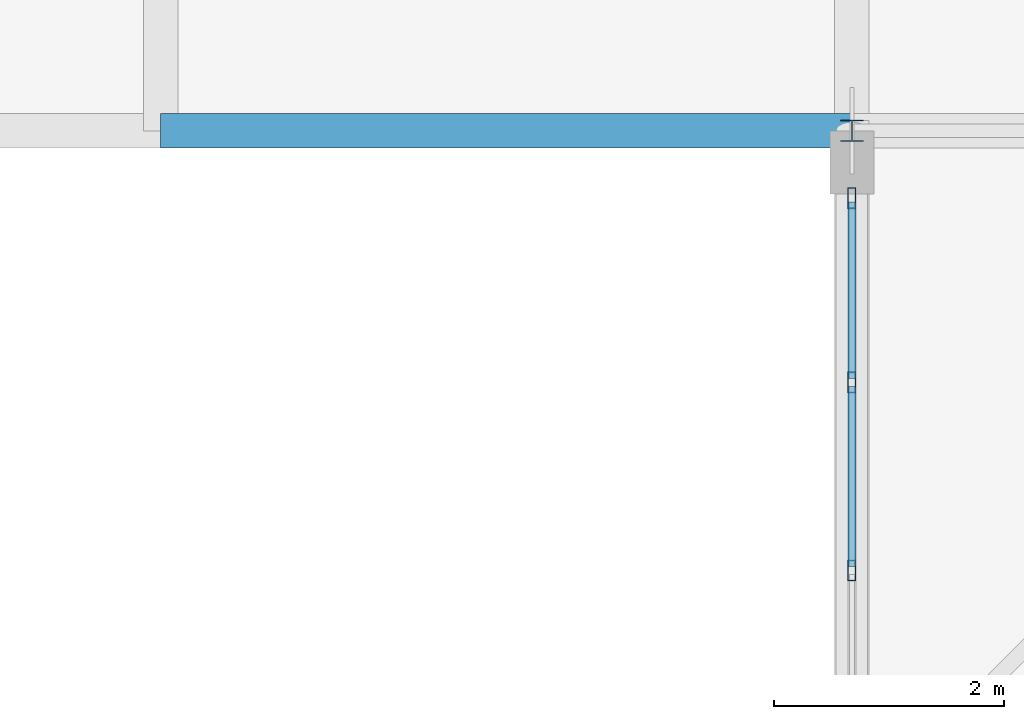
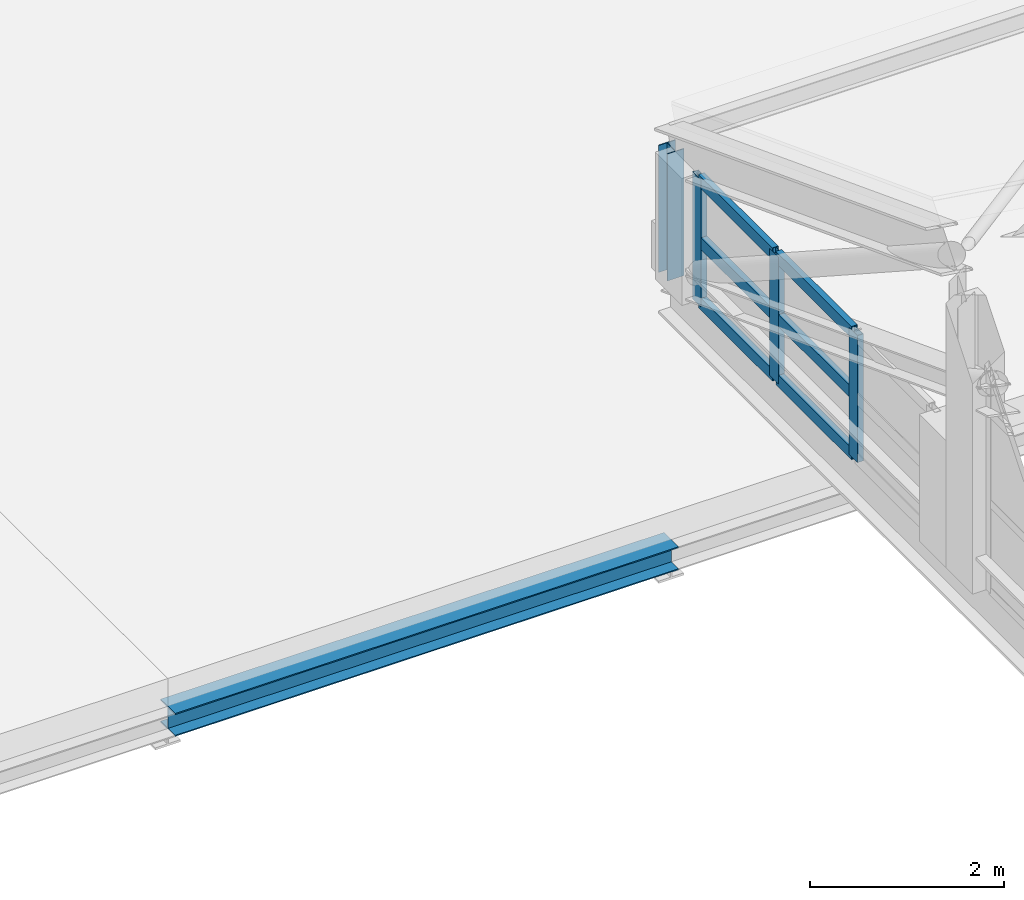
# One storey, part 143 of 204: 10 members, 1 beam, 1 element without a shape of its own.
"""IFC4 building model written with IfcOpenShell, lengths in metres."""

from ifc_helpers import new_model, si_unit, direction, frame, origin, origin_2d, place, context, subcontext, project, spatial, hollow_rectangle, i_section, extrude, material, layer, layer_set, material_profile, profile_set, type_object, element, aggregate, save


model = new_model("IFC4")

# Units and contexts
model_context = context("Model", 3, precision=1e-05, world=origin(), true_north=direction((0.0, 1.0)))
body_context = subcontext(model_context, "Body", "Model", "MODEL_VIEW")
ifc_project = project(units=[si_unit("LENGTHUNIT", "METRE"), si_unit("AREAUNIT", "SQUARE_METRE"), si_unit("VOLUMEUNIT", "CUBIC_METRE"), si_unit("PLANEANGLEUNIT", "RADIAN"), si_unit("MASSUNIT", "GRAM", prefix="KILO")], contexts=[model_context])

# Site, building, storey
site_placement = place(None, origin())
site = spatial("IfcSite", under=ifc_project, at=site_placement, CompositionType="ELEMENT")
building_placement = place(site_placement, origin())
building = spatial("IfcBuilding", under=site, at=building_placement, Name="Zilviju Railside Exhibition Hall", CompositionType="ELEMENT")
storey_placement = place(building_placement, frame((0.0, 0.0, 21.0)))
storey = spatial("IfcBuildingStorey", under=building, at=storey_placement, Name="RF", CompositionType="ELEMENT", Elevation=21.0)

# Beam
ifc_material_1 = material(Name="Steel S355J2", Category="steel")
ifc_material_profile_1 = material_profile(ifc_material_1, i_section(OverallWidth=0.300048828125, OverallDepth=0.2900390625, WebThickness=0.008544921875, FlangeThickness=0.013916015625, at=origin_2d()), Name="HEA 300")
ifc_profile_set_1 = profile_set([ifc_material_profile_1], Name="Steel S355J2")
beam_type = type_object("IfcBeamType", Name="BM-HEA300", PredefinedType="SPANDREL", material=ifc_profile_set_1)
beam_placement = place(storey_placement, frame((72.0, 138.0, -7.094970703125), z_axis=(1.0, 0.0, 0.0), x_axis=(0.0, 1.0, 0.0)))
element("IfcBeam", 1, at=beam_placement, inside=storey, type_object=beam_type, Name="Logistics Roof Beam Y=138.0 (72.0..78.0)", PredefinedType="SPANDREL", context=body_context, shape_type="SweptSolid", body=[
    extrude(i_section(OverallWidth=0.300048828125, OverallDepth=0.2900390625, WebThickness=0.008544921875, FlangeThickness=0.013916015625, at=origin_2d()), origin(), (0.0, 0.0, 1.0), 6.0),
])

# Curtain wall, members
ifc_material_2 = material(Name="Thermally broken aluminium-steel triple-glazed curtain wall", Category="steel")
ifc_layer = layer(ifc_material_2, 0.179931640625)
ifc_layer_set = layer_set([ifc_layer], Name="Thermally broken aluminium-steel triple-glazed curtain wall")
curtain_wall_type = type_object("IfcCurtainWallType", Name="CW-BAY-07", PredefinedType="USERDEFINED", material=ifc_layer_set)
curtain_wall_placement = place(storey_placement, origin())
curtain_wall = element("IfcCurtainWall", 2, at=curtain_wall_placement, inside=storey, type_object=curtain_wall_type, Name="North Hall Arch Lower Tympanum Glazing West P9", ObjectType="GLAZED CURTAIN WALL", PredefinedType="USERDEFINED")
ifc_material_3 = material(Name="Thermally broken anodized aluminium mullion", Category="aluminium")
ifc_material_profile_2 = material_profile(ifc_material_3, hollow_rectangle(XDim=0.070068359375, YDim=0.179931640625, WallThickness=0.0048828125, at=origin_2d()), Name="MULLION 180x70x5")
ifc_profile_set_2 = profile_set([ifc_material_profile_2], Name="Thermally broken anodized aluminium mullion")
member_type_1 = type_object("IfcMemberType", Name="CWM-70x180", PredefinedType="MULLION", material=ifc_profile_set_2)
member_1_placement = place(storey_placement, frame((78.0, 134.183349609375, -3.60009765625), z_axis=(0.0, 0.0, 1.0), x_axis=(-1.0, 0.0, 0.0)))
member_1 = element("IfcMember", 3, at=member_1_placement, type_object=member_type_1, Name="CW-07 mullion 2", PredefinedType="MULLION", context=body_context, shape_type="SweptSolid", body=[
    extrude(hollow_rectangle(XDim=0.070068359375, YDim=0.179931640625, WallThickness=0.0048828125, at=origin_2d()), origin(), (0.0, 0.0, 1.0), 1.60009765625),
])
member_2_placement = place(storey_placement, frame((78.0, 135.816650390625, -3.60009765625), z_axis=(0.0, 0.0, 1.0), x_axis=(-1.0, 0.0, 0.0)))
member_2 = element("IfcMember", 4, at=member_2_placement, type_object=member_type_1, Name="CW-07 mullion 3", PredefinedType="MULLION", context=body_context, shape_type="SweptSolid", body=[
    extrude(hollow_rectangle(XDim=0.070068359375, YDim=0.179931640625, WallThickness=0.0048828125, at=origin_2d()), origin(), (0.0, 0.0, 1.0), 1.60009765625),
])
member_3_placement = place(storey_placement, frame((78.0, 137.4150390625, -3.60009765625), z_axis=(0.0, 0.0, 1.0), x_axis=(-1.0, 0.0, 0.0)))
member_3 = element("IfcMember", 5, at=member_3_placement, type_object=member_type_1, Name="CW-07 mullion 4", PredefinedType="MULLION", context=body_context, shape_type="SweptSolid", body=[
    extrude(hollow_rectangle(XDim=0.070068359375, YDim=0.179931640625, WallThickness=0.0048828125, at=origin_2d()), origin(), (0.0, 0.0, 1.0), 1.60009765625),
])
ifc_material_4 = material(Name="Thermally broken anodized aluminium transom", Category="aluminium")
ifc_material_profile_3 = material_profile(ifc_material_4, hollow_rectangle(XDim=0.070068359375, YDim=0.14990234375, WallThickness=0.0048828125, at=origin_2d()), Name="TRANSOM 150x70x5")
ifc_profile_set_3 = profile_set([ifc_material_profile_3], Name="Thermally broken anodized aluminium transom")
member_type_2 = type_object("IfcMemberType", Name="CWT-70x150", PredefinedType="USERDEFINED", material=ifc_profile_set_3)
member_4_placement = place(storey_placement, frame((78.0, 134.21826171875, -3.56494140625), z_axis=(0.0, 1.0, 0.0), x_axis=(-1.0, 0.0, 0.0)))
member_4 = element("IfcMember", 6, at=member_4_placement, type_object=member_type_2, Name="CW-07 transom 2.1", ObjectType="TRANSOM", PredefinedType="USERDEFINED", context=body_context, shape_type="SweptSolid", body=[
    extrude(hollow_rectangle(XDim=0.070068359375, YDim=0.14990234375, WallThickness=0.0048828125, at=origin_2d()), origin(), (0.0, 0.0, 1.0), 1.5634765625),
])
member_5_placement = place(storey_placement, frame((78.0, 134.21826171875, -2.800048828125), z_axis=(0.0, 1.0, 0.0), x_axis=(-1.0, 0.0, 0.0)))
member_5 = element("IfcMember", 7, at=member_5_placement, type_object=member_type_2, Name="CW-07 transom 2.2", ObjectType="TRANSOM", PredefinedType="USERDEFINED", context=body_context, shape_type="SweptSolid", body=[
    extrude(hollow_rectangle(XDim=0.070068359375, YDim=0.14990234375, WallThickness=0.0048828125, at=origin_2d()), origin(), (0.0, 0.0, 1.0), 1.5634765625),
])
member_6_placement = place(storey_placement, frame((78.0, 134.21826171875, -2.034912109375), z_axis=(0.0, 1.0, 0.0), x_axis=(-1.0, 0.0, 0.0)))
member_6 = element("IfcMember", 8, at=member_6_placement, type_object=member_type_2, Name="CW-07 transom 2.3", ObjectType="TRANSOM", PredefinedType="USERDEFINED", context=body_context, shape_type="SweptSolid", body=[
    extrude(hollow_rectangle(XDim=0.070068359375, YDim=0.14990234375, WallThickness=0.0048828125, at=origin_2d()), origin(), (0.0, 0.0, 1.0), 1.5634765625),
])
member_7_placement = place(storey_placement, frame((78.0, 135.8515625, -3.56494140625), z_axis=(0.0, 1.0, 0.0), x_axis=(-1.0, 0.0, 0.0)))
member_7 = element("IfcMember", 9, at=member_7_placement, type_object=member_type_2, Name="CW-07 transom 3.1", ObjectType="TRANSOM", PredefinedType="USERDEFINED", context=body_context, shape_type="SweptSolid", body=[
    extrude(hollow_rectangle(XDim=0.070068359375, YDim=0.14990234375, WallThickness=0.0048828125, at=origin_2d()), origin(), (0.0, 0.0, 1.0), 1.5283203125),
])
member_8_placement = place(storey_placement, frame((78.0, 135.8515625, -2.800048828125), z_axis=(0.0, 1.0, 0.0), x_axis=(-1.0, 0.0, 0.0)))
member_8 = element("IfcMember", 10, at=member_8_placement, type_object=member_type_2, Name="CW-07 transom 3.2", ObjectType="TRANSOM", PredefinedType="USERDEFINED", context=body_context, shape_type="SweptSolid", body=[
    extrude(hollow_rectangle(XDim=0.070068359375, YDim=0.14990234375, WallThickness=0.0048828125, at=origin_2d()), origin(), (0.0, 0.0, 1.0), 1.5283203125),
])
member_9_placement = place(storey_placement, frame((78.0, 135.8515625, -2.034912109375), z_axis=(0.0, 1.0, 0.0), x_axis=(-1.0, 0.0, 0.0)))
member_9 = element("IfcMember", 11, at=member_9_placement, type_object=member_type_2, Name="CW-07 transom 3.3", ObjectType="TRANSOM", PredefinedType="USERDEFINED", context=body_context, shape_type="SweptSolid", body=[
    extrude(hollow_rectangle(XDim=0.070068359375, YDim=0.14990234375, WallThickness=0.0048828125, at=origin_2d()), origin(), (0.0, 0.0, 1.0), 1.5283203125),
])
aggregate(curtain_wall, [member_1, member_2, member_3, member_4, member_5, member_6, member_7, member_8, member_9])

# Member
ifc_material_5 = material(Name="Steel S355ML", Category="steel")
ifc_material_profile_4 = material_profile(ifc_material_5, i_section(OverallWidth=0.199951171875, OverallDepth=0.18994140625, WebThickness=0.006591796875, FlangeThickness=0.010009765625, at=origin_2d()), Name="HEA 200")
ifc_profile_set_4 = profile_set([ifc_material_profile_4], Name="Steel S355ML")
member_type_3 = type_object("IfcMemberType", Name="TR-POST-HEA200", PredefinedType="POST", material=ifc_profile_set_4)
member_10_placement = place(storey_placement, frame((78.0, 138.0, -3.60009765625), z_axis=(0.0, 0.0, 1.0), x_axis=(1.0, 0.0, 0.0)))
element("IfcMember", 12, at=member_10_placement, inside=storey, type_object=member_type_3, Name="V2 Parabolic Arch Web Post X=78.0 N9", PredefinedType="POST", context=body_context, shape_type="SweptSolid", body=[
    extrude(i_section(OverallWidth=0.199951171875, OverallDepth=0.18994140625, WebThickness=0.006591796875, FlangeThickness=0.010009765625, at=origin_2d()), origin(), (0.0, 0.0, 1.0), 1.60009765625),
])

save(model, "model.ifc")
